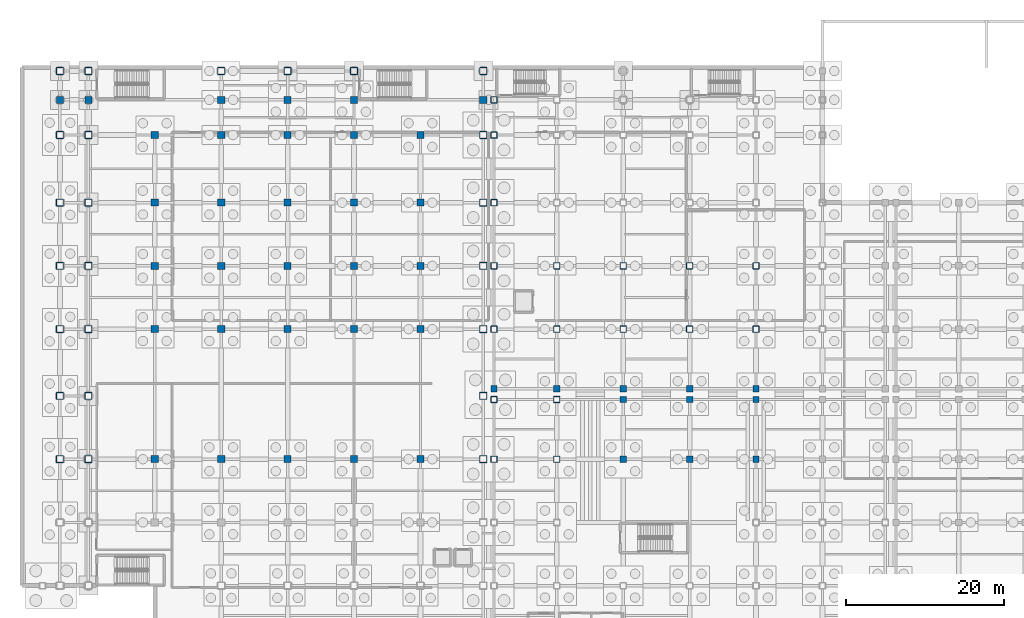
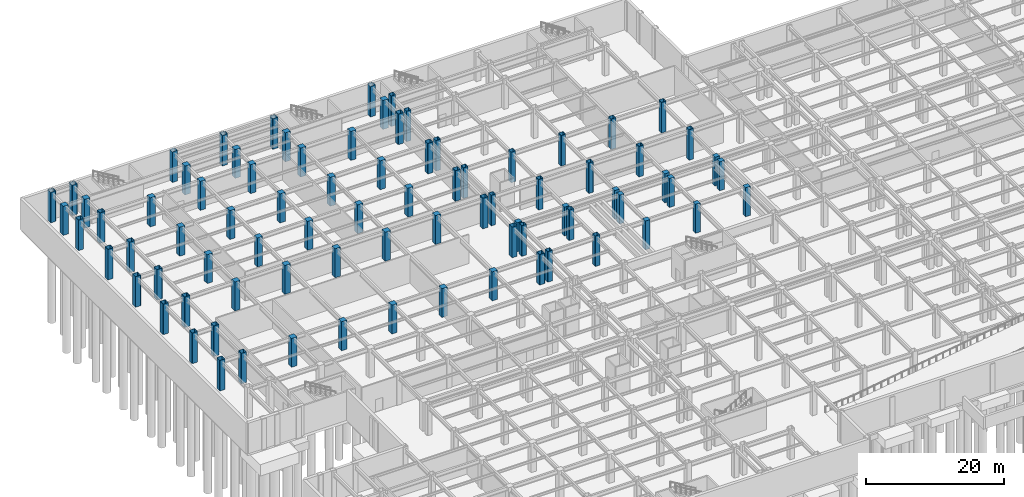
# One storey, part 17 of 55: 83 columns.
"""IFC4 building model written with IfcOpenShell, lengths in metres."""

from ifc_helpers import new_model, si_unit, direction, frame, origin, origin_2d, place, context, subcontext, project, spatial, rectangle, hollow_rectangle, extrude, material, material_profile, profile_set, type_object, element, save


model = new_model("IFC4")

# Units and contexts
model_context = context("Model", 3, precision=1e-05, world=origin(), true_north=direction((0.0, 1.0)))
body_context = subcontext(model_context, "Body", "Model", "MODEL_VIEW")
ifc_project = project(units=[si_unit("LENGTHUNIT", "METRE"), si_unit("AREAUNIT", "SQUARE_METRE"), si_unit("VOLUMEUNIT", "CUBIC_METRE"), si_unit("PLANEANGLEUNIT", "RADIAN"), si_unit("MASSUNIT", "GRAM", prefix="KILO")], contexts=[model_context])

# Site, building, storey
site_placement = place(None, origin())
site = spatial("IfcSite", under=ifc_project, at=site_placement, CompositionType="ELEMENT")
building_placement = place(site_placement, origin())
building = spatial("IfcBuilding", under=site, at=building_placement, Name="Kazehara Bluff Congress Hotel", CompositionType="ELEMENT")
storey_placement = place(building_placement, frame((0.0, 0.0, -5.39990234375)))
storey = spatial("IfcBuildingStorey", under=building, at=storey_placement, Name="B1", CompositionType="ELEMENT", Elevation=-5.39990234375)

# Columns
ifc_material_1 = material(Name="Steel BCR295", Category="steel")
ifc_material_profile_1 = material_profile(ifc_material_1, hollow_rectangle(XDim=0.89990234375, YDim=0.89990234375, WallThickness=0.031982421875, InnerFilletRadius=0.031982421875, OuterFilletRadius=0.06396484375, at=origin_2d()))
ifc_profile_set_1 = profile_set([ifc_material_profile_1], Name="Steel BCR295")
column_type_1 = type_object("IfcColumnType", Name="TP-C-01", PredefinedType="COLUMN", material=ifc_profile_set_1)
for number, where, z_axis, x_axis, name in (
    (1, (4.800048828125, 64.449951171875, 0.0), (0.0, 0.0, 1.0), (1.0, 0.0, 0.0), "B1 mega-column C-01 (4.80,64.45)"),
    (2, (4.800048828125, 72.449951171875, 0.0), (0.0, 0.0, 1.0), (1.0, 0.0, 0.0), "B1 mega-column C-01 (4.80,72.45)"),
    (3, (4.800048828125, 80.89990234375, 0.0), (0.0, 0.0, 1.0), (1.0, 0.0, 0.0), "B1 mega-column C-01 (4.80,80.90)"),
    (4, (4.800048828125, 88.89990234375, 0.0), (0.0, 0.0, 1.0), (1.0, 0.0, 0.0), "B1 mega-column C-01 (4.80,88.90)"),
    (5, (4.800048828125, 96.89990234375, 0.0), (0.0, 0.0, 1.0), (1.0, 0.0, 0.0), "B1 mega-column C-01 (4.80,96.90)"),
    (6, (4.800048828125, 105.449951171875, 0.0), (0.0, 0.0, 1.0), (1.0, 0.0, 0.0), "B1 mega-column C-01 (4.80,105.45)"),
    (7, (4.800048828125, 113.550048828125, 0.0), (0.0, 0.0, 1.0), (1.0, 0.0, 0.0), "B1 mega-column C-01 (4.80,113.55)"),
    (8, (8.39990234375, 64.449951171875, 0.0), (0.0, 0.0, 1.0), (1.0, 0.0, 0.0), "B1 mega-column C-01 (8.40,64.45)"),
    (9, (8.39990234375, 72.449951171875, 0.0), (0.0, 0.0, 1.0), (1.0, 0.0, 0.0), "B1 mega-column C-01 (8.40,72.45)"),
    (10, (8.39990234375, 80.89990234375, 0.0), (0.0, 0.0, 1.0), (1.0, 0.0, 0.0), "B1 mega-column C-01 (8.40,80.90)"),
    (11, (8.39990234375, 88.89990234375, 0.0), (0.0, 0.0, 1.0), (1.0, 0.0, 0.0), "B1 mega-column C-01 (8.40,88.90)"),
    (12, (8.39990234375, 96.89990234375, 0.0), (0.0, 0.0, 1.0), (1.0, 0.0, 0.0), "B1 mega-column C-01 (8.40,96.90)"),
    (13, (8.39990234375, 105.449951171875, 0.0), (0.0, 0.0, 1.0), (1.0, 0.0, 0.0), "B1 mega-column C-01 (8.40,105.45)"),
    (14, (8.39990234375, 113.550048828125, 0.0), (0.0, 0.0, 1.0), (1.0, 0.0, 0.0), "B1 mega-column C-01 (8.40,113.55)"),
    (15, (25.199951171875, 113.550048828125, 0.0), (0.0, 0.0, 1.0), (1.0, 0.0, 0.0), "B1 mega-column C-01 (25.20,113.55)"),
    (16, (33.60009765625, 113.550048828125, 0.0), (0.0, 0.0, 1.0), (1.0, 0.0, 0.0), "B1 mega-column C-01 (33.60,113.55)"),
    (17, (42.0, 113.550048828125, 0.0), (0.0, 0.0, 1.0), (1.0, 0.0, 0.0), "B1 mega-column C-01 (42.00,113.55)"),
    (18, (58.35009765625, 64.449951171875, 0.0), (0.0, 0.0, 1.0), (1.0, 0.0, 0.0), "B1 mega-column C-01 (58.35,64.45)"),
    (19, (58.35009765625, 72.449951171875, 0.0), (0.0, 0.0, 1.0), (1.0, 0.0, 0.0), "B1 mega-column C-01 (58.35,72.45)"),
    (20, (58.35009765625, 80.89990234375, 0.0), (0.0, 0.0, 1.0), (1.0, 0.0, 0.0), "B1 mega-column C-01 (58.35,80.90)"),
    (21, (58.35009765625, 88.89990234375, 0.0), (0.0, 0.0, 1.0), (1.0, 0.0, 0.0), "B1 mega-column C-01 (58.35,88.90)"),
    (22, (58.35009765625, 96.89990234375, 0.0), (0.0, 0.0, 1.0), (1.0, 0.0, 0.0), "B1 mega-column C-01 (58.35,96.90)"),
    (23, (58.35009765625, 105.449951171875, 0.0), (0.0, 0.0, 1.0), (1.0, 0.0, 0.0), "B1 mega-column C-01 (58.35,105.45)"),
    (24, (58.35009765625, 113.550048828125, 0.0), (0.0, 0.0, 1.0), (1.0, 0.0, 0.0), "B1 mega-column C-01 (58.35,113.55)"),
):
    element("IfcColumn", number, at=place(storey_placement, frame(where, z_axis=z_axis, x_axis=x_axis)), inside=storey, type_object=column_type_1, Name=name, PredefinedType="COLUMN", context=body_context, shape_type="SweptSolid", body=[
        extrude(hollow_rectangle(XDim=0.89990234375, YDim=0.89990234375, WallThickness=0.031982421875, InnerFilletRadius=0.031982421875, OuterFilletRadius=0.06396484375, at=origin_2d()), origin(), (0.0, 0.0, 1.0), 5.39990234375),
    ])
ifc_material_2 = material(Name="Steel BCR295", Category="steel")
ifc_material_profile_2 = material_profile(ifc_material_2, hollow_rectangle(XDim=0.800048828125, YDim=0.800048828125, WallThickness=0.031982421875, InnerFilletRadius=0.031982421875, OuterFilletRadius=0.06396484375, at=origin_2d()))
ifc_profile_set_2 = profile_set([ifc_material_profile_2], Name="Steel BCR295")
column_type_2 = type_object("IfcColumnType", Name="TP-C-02", PredefinedType="COLUMN", material=ifc_profile_set_2)
for number, where, z_axis, x_axis, name in (
    (25, (59.699951171875, 64.449951171875, 0.0), (0.0, 0.0, 1.0), (1.0, 0.0, 0.0), "B1 column C-02 (59.70,64.45)"),
    (26, (59.699951171875, 72.0, 0.0), (0.0, 0.0, 1.0), (1.0, 0.0, 0.0), "B1 column C-02 (59.70,72.00)"),
    (27, (59.699951171875, 80.89990234375, 0.0), (0.0, 0.0, 1.0), (1.0, 0.0, 0.0), "B1 column C-02 (59.70,80.90)"),
    (28, (59.699951171875, 88.89990234375, 0.0), (0.0, 0.0, 1.0), (1.0, 0.0, 0.0), "B1 column C-02 (59.70,88.90)"),
    (29, (59.699951171875, 96.89990234375, 0.0), (0.0, 0.0, 1.0), (1.0, 0.0, 0.0), "B1 column C-02 (59.70,96.90)"),
    (30, (59.699951171875, 105.449951171875, 0.0), (0.0, 0.0, 1.0), (1.0, 0.0, 0.0), "B1 column C-02 (59.70,105.45)"),
    (31, (59.699951171875, 109.89990234375, 0.0), (0.0, 0.0, 1.0), (1.0, 0.0, 0.0), "B1 column C-02 (59.70,109.90)"),
    (32, (67.64990234375, 64.449951171875, 0.0), (0.0, 0.0, 1.0), (1.0, 0.0, 0.0), "B1 column C-02 (67.65,64.45)"),
    (33, (67.64990234375, 72.0, 0.0), (0.0, 0.0, 1.0), (1.0, 0.0, 0.0), "B1 column C-02 (67.65,72.00)"),
    (34, (67.64990234375, 80.89990234375, 0.0), (0.0, 0.0, 1.0), (1.0, 0.0, 0.0), "B1 column C-02 (67.65,80.90)"),
    (35, (67.64990234375, 88.89990234375, 0.0), (0.0, 0.0, 1.0), (1.0, 0.0, 0.0), "B1 column C-02 (67.65,88.90)"),
    (36, (76.050048828125, 80.89990234375, 0.0), (0.0, 0.0, 1.0), (1.0, 0.0, 0.0), "B1 column C-02 (76.05,80.90)"),
    (37, (76.050048828125, 88.89990234375, 0.0), (0.0, 0.0, 1.0), (1.0, 0.0, 0.0), "B1 column C-02 (76.05,88.90)"),
    (38, (84.449951171875, 80.89990234375, 0.0), (0.0, 0.0, 1.0), (1.0, 0.0, 0.0), "B1 column C-02 (84.45,80.90)"),
    (39, (84.449951171875, 88.89990234375, 0.0), (0.0, 0.0, 1.0), (1.0, 0.0, 0.0), "B1 column C-02 (84.45,88.90)"),
    (40, (92.85009765625, 80.89990234375, 0.0), (0.0, 0.0, 1.0), (1.0, 0.0, 0.0), "B1 column C-02 (92.85,80.90)"),
    (41, (92.85009765625, 88.89990234375, 0.0), (0.0, 0.0, 1.0), (1.0, 0.0, 0.0), "B1 column C-02 (92.85,88.90)"),
):
    element("IfcColumn", number, at=place(storey_placement, frame(where, z_axis=z_axis, x_axis=x_axis)), inside=storey, type_object=column_type_2, Name=name, PredefinedType="COLUMN", context=body_context, shape_type="SweptSolid", body=[
        extrude(hollow_rectangle(XDim=0.800048828125, YDim=0.800048828125, WallThickness=0.031982421875, InnerFilletRadius=0.031982421875, OuterFilletRadius=0.06396484375, at=origin_2d()), origin(), (0.0, 0.0, 1.0), 5.39990234375),
    ])
ifc_material_3 = material(Name="Concrete C40/50", Category="concrete")
ifc_material_profile_3 = material_profile(ifc_material_3, rectangle(XDim=0.89990234375, YDim=0.89990234375, at=origin_2d()))
ifc_profile_set_3 = profile_set([ifc_material_profile_3], Name="Concrete C40/50")
column_type_3 = type_object("IfcColumnType", Name="TP-C-12", PredefinedType="COLUMN", material=ifc_profile_set_3)
for number, where, z_axis, x_axis, name in (
    (42, (4.800048828125, 109.89990234375, 0.0), (0.0, 0.0, 1.0), (1.0, 0.0, 0.0), "B1 column C-12 (4.80,109.90)"),
    (43, (8.39990234375, 109.89990234375, 0.0), (0.0, 0.0, 1.0), (1.0, 0.0, 0.0), "B1 column C-12 (8.40,109.90)"),
    (44, (16.800048828125, 64.449951171875, 0.0), (0.0, 0.0, 1.0), (1.0, 0.0, 0.0), "B1 column C-12 (16.80,64.45)"),
    (45, (16.800048828125, 80.89990234375, 0.0), (0.0, 0.0, 1.0), (1.0, 0.0, 0.0), "B1 column C-12 (16.80,80.90)"),
    (46, (16.800048828125, 88.89990234375, 0.0), (0.0, 0.0, 1.0), (1.0, 0.0, 0.0), "B1 column C-12 (16.80,88.90)"),
    (47, (16.800048828125, 96.89990234375, 0.0), (0.0, 0.0, 1.0), (1.0, 0.0, 0.0), "B1 column C-12 (16.80,96.90)"),
    (48, (16.800048828125, 105.449951171875, 0.0), (0.0, 0.0, 1.0), (1.0, 0.0, 0.0), "B1 column C-12 (16.80,105.45)"),
    (49, (25.199951171875, 64.449951171875, 0.0), (0.0, 0.0, 1.0), (1.0, 0.0, 0.0), "B1 column C-12 (25.20,64.45)"),
    (50, (25.199951171875, 80.89990234375, 0.0), (0.0, 0.0, 1.0), (1.0, 0.0, 0.0), "B1 column C-12 (25.20,80.90)"),
    (51, (25.199951171875, 88.89990234375, 0.0), (0.0, 0.0, 1.0), (1.0, 0.0, 0.0), "B1 column C-12 (25.20,88.90)"),
    (52, (25.199951171875, 96.89990234375, 0.0), (0.0, 0.0, 1.0), (1.0, 0.0, 0.0), "B1 column C-12 (25.20,96.90)"),
    (53, (25.199951171875, 105.449951171875, 0.0), (0.0, 0.0, 1.0), (1.0, 0.0, 0.0), "B1 column C-12 (25.20,105.45)"),
    (54, (25.199951171875, 109.89990234375, 0.0), (0.0, 0.0, 1.0), (1.0, 0.0, 0.0), "B1 column C-12 (25.20,109.90)"),
    (55, (33.60009765625, 64.449951171875, 0.0), (0.0, 0.0, 1.0), (1.0, 0.0, 0.0), "B1 column C-12 (33.60,64.45)"),
    (56, (33.60009765625, 80.89990234375, 0.0), (0.0, 0.0, 1.0), (1.0, 0.0, 0.0), "B1 column C-12 (33.60,80.90)"),
    (57, (33.60009765625, 88.89990234375, 0.0), (0.0, 0.0, 1.0), (1.0, 0.0, 0.0), "B1 column C-12 (33.60,88.90)"),
    (58, (33.60009765625, 96.89990234375, 0.0), (0.0, 0.0, 1.0), (1.0, 0.0, 0.0), "B1 column C-12 (33.60,96.90)"),
    (59, (33.60009765625, 105.449951171875, 0.0), (0.0, 0.0, 1.0), (1.0, 0.0, 0.0), "B1 column C-12 (33.60,105.45)"),
    (60, (33.60009765625, 109.89990234375, 0.0), (0.0, 0.0, 1.0), (1.0, 0.0, 0.0), "B1 column C-12 (33.60,109.90)"),
    (61, (42.0, 64.449951171875, 0.0), (0.0, 0.0, 1.0), (1.0, 0.0, 0.0), "B1 column C-12 (42.00,64.45)"),
    (62, (42.0, 80.89990234375, 0.0), (0.0, 0.0, 1.0), (1.0, 0.0, 0.0), "B1 column C-12 (42.00,80.90)"),
    (63, (42.0, 88.89990234375, 0.0), (0.0, 0.0, 1.0), (1.0, 0.0, 0.0), "B1 column C-12 (42.00,88.90)"),
    (64, (42.0, 96.89990234375, 0.0), (0.0, 0.0, 1.0), (1.0, 0.0, 0.0), "B1 column C-12 (42.00,96.90)"),
    (65, (42.0, 105.449951171875, 0.0), (0.0, 0.0, 1.0), (1.0, 0.0, 0.0), "B1 column C-12 (42.00,105.45)"),
    (66, (42.0, 109.89990234375, 0.0), (0.0, 0.0, 1.0), (1.0, 0.0, 0.0), "B1 column C-12 (42.00,109.90)"),
    (67, (50.39990234375, 64.449951171875, 0.0), (0.0, 0.0, 1.0), (1.0, 0.0, 0.0), "B1 column C-12 (50.40,64.45)"),
    (68, (50.39990234375, 80.89990234375, 0.0), (0.0, 0.0, 1.0), (1.0, 0.0, 0.0), "B1 column C-12 (50.40,80.90)"),
    (69, (50.39990234375, 88.89990234375, 0.0), (0.0, 0.0, 1.0), (1.0, 0.0, 0.0), "B1 column C-12 (50.40,88.90)"),
    (70, (50.39990234375, 96.89990234375, 0.0), (0.0, 0.0, 1.0), (1.0, 0.0, 0.0), "B1 column C-12 (50.40,96.90)"),
    (71, (50.39990234375, 105.449951171875, 0.0), (0.0, 0.0, 1.0), (1.0, 0.0, 0.0), "B1 column C-12 (50.40,105.45)"),
    (72, (58.35009765625, 109.89990234375, 0.0), (0.0, 0.0, 1.0), (1.0, 0.0, 0.0), "B1 column C-12 (58.35,109.90)"),
):
    element("IfcColumn", number, at=place(storey_placement, frame(where, z_axis=z_axis, x_axis=x_axis)), inside=storey, type_object=column_type_3, Name=name, PredefinedType="COLUMN", context=body_context, shape_type="SweptSolid", body=[
        extrude(rectangle(XDim=0.89990234375, YDim=0.89990234375, at=origin_2d()), origin(), (0.0, 0.0, 1.0), 5.119873046875),
    ])
ifc_material_4 = material(Name="Concrete C40/50", Category="concrete")
ifc_material_profile_4 = material_profile(ifc_material_4, rectangle(XDim=0.800048828125, YDim=0.800048828125, at=origin_2d()))
ifc_profile_set_4 = profile_set([ifc_material_profile_4], Name="Concrete C40/50")
column_type_4 = type_object("IfcColumnType", Name="TP-C-13", PredefinedType="COLUMN", material=ifc_profile_set_4)
for number, where, z_axis, x_axis, name in (
    (73, (59.699951171875, 73.35009765625, 0.0), (0.0, 0.0, 1.0), (1.0, 0.0, 0.0), "B1 column C-13 (59.70,73.35)"),
    (74, (67.64990234375, 73.35009765625, 0.0), (0.0, 0.0, 1.0), (1.0, 0.0, 0.0), "B1 column C-13 (67.65,73.35)"),
    (75, (76.050048828125, 64.449951171875, 0.0), (0.0, 0.0, 1.0), (1.0, 0.0, 0.0), "B1 column C-13 (76.05,64.45)"),
    (76, (76.050048828125, 72.0, 0.0), (0.0, 0.0, 1.0), (1.0, 0.0, 0.0), "B1 column C-13 (76.05,72.00)"),
    (77, (76.050048828125, 73.35009765625, 0.0), (0.0, 0.0, 1.0), (1.0, 0.0, 0.0), "B1 column C-13 (76.05,73.35)"),
    (78, (84.449951171875, 64.449951171875, 0.0), (0.0, 0.0, 1.0), (1.0, 0.0, 0.0), "B1 column C-13 (84.45,64.45)"),
    (79, (84.449951171875, 72.0, 0.0), (0.0, 0.0, 1.0), (1.0, 0.0, 0.0), "B1 column C-13 (84.45,72.00)"),
    (80, (84.449951171875, 73.35009765625, 0.0), (0.0, 0.0, 1.0), (1.0, 0.0, 0.0), "B1 column C-13 (84.45,73.35)"),
    (81, (92.85009765625, 64.449951171875, 0.0), (0.0, 0.0, 1.0), (1.0, 0.0, 0.0), "B1 column C-13 (92.85,64.45)"),
    (82, (92.85009765625, 72.0, 0.0), (0.0, 0.0, 1.0), (1.0, 0.0, 0.0), "B1 column C-13 (92.85,72.00)"),
    (83, (92.85009765625, 73.35009765625, 0.0), (0.0, 0.0, 1.0), (1.0, 0.0, 0.0), "B1 column C-13 (92.85,73.35)"),
):
    element("IfcColumn", number, at=place(storey_placement, frame(where, z_axis=z_axis, x_axis=x_axis)), inside=storey, type_object=column_type_4, Name=name, PredefinedType="COLUMN", context=body_context, shape_type="SweptSolid", body=[
        extrude(rectangle(XDim=0.800048828125, YDim=0.800048828125, at=origin_2d()), origin(), (0.0, 0.0, 1.0), 5.119873046875),
    ])

save(model, "model.ifc")
